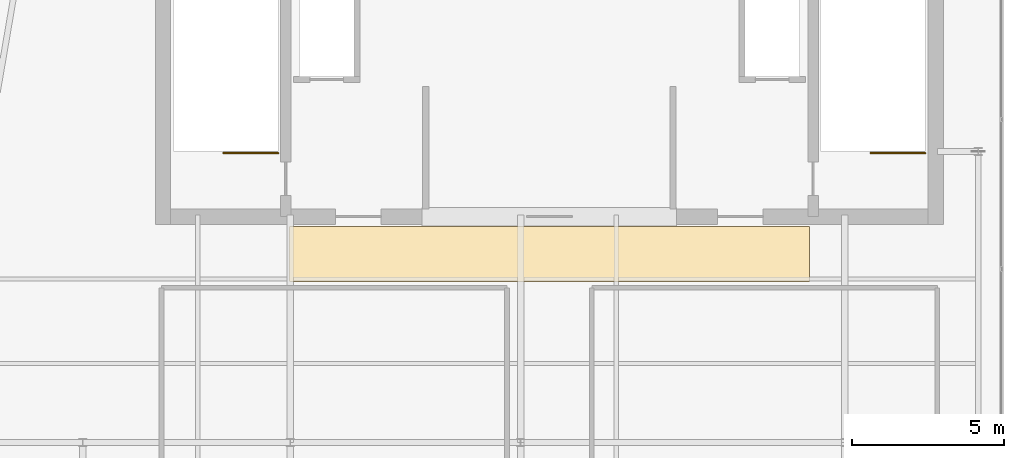
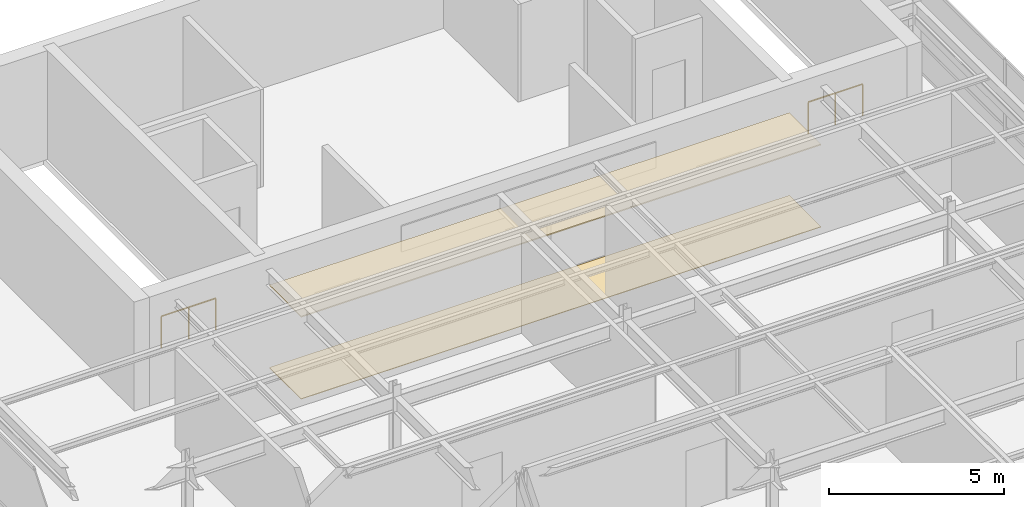
# One storey, part 35 of 35: 2 coverings, 2 railings.
"""IFC4 building model written with IfcOpenShell, lengths in metres."""

from ifc_helpers import new_model, si_unit, direction, frame, origin, origin_2d, place, context, subcontext, project, spatial, polyline, circle, outline, extrude, material, layer, layer_set, type_object, element, save


model = new_model("IFC4")

# Units and contexts
model_context = context("Model", 3, precision=1e-05, world=origin(), true_north=direction((0.0, 1.0)))
body_context = subcontext(model_context, "Body", "Model", "MODEL_VIEW")
ifc_project = project(units=[si_unit("LENGTHUNIT", "METRE"), si_unit("AREAUNIT", "SQUARE_METRE"), si_unit("VOLUMEUNIT", "CUBIC_METRE"), si_unit("PLANEANGLEUNIT", "RADIAN"), si_unit("MASSUNIT", "GRAM", prefix="KILO")], contexts=[model_context])

# Site, building, storey
site_placement = place(None, origin())
site = spatial("IfcSite", under=ifc_project, at=site_placement, CompositionType="ELEMENT")
building_placement = place(site_placement, origin())
building = spatial("IfcBuilding", under=site, at=building_placement, Name="Tolvann Quenvar Hotel", CompositionType="ELEMENT")
storey_placement = place(building_placement, frame((0.0, 0.0, 309.949951171875)))
storey = spatial("IfcBuildingStorey", under=building, at=storey_placement, Name="L82", CompositionType="ELEMENT", Elevation=309.949951171875)

# Coverings
ifc_material_1 = material(Name="Micro-perforated acoustic mineral-fibre and timber-batten suspended ceiling", Category="wood")
ifc_layer_1 = layer(ifc_material_1, 0.0400390625)
ifc_layer_set_1 = layer_set([ifc_layer_1], Name="Micro-perforated acoustic mineral-fibre and timber-batten suspended ceiling")
covering_type_1 = type_object("IfcCoveringType", Name="COV_CEIL_ACOUSTIC_40", PredefinedType="CEILING", material=ifc_layer_set_1)
covering_1_placement = place(storey_placement, frame((0.0, 0.0, 2.860107421875)))
element("IfcCovering", 1, at=covering_1_placement, inside=storey, type_object=covering_type_1, Name="Suspended Acoustic Ceiling (Upper Lantern Core Stair Vestibule L82)", PredefinedType="CEILING", context=body_context, shape_type="SweptSolid", body=[
    extrude(outline(polyline([(14.419921875, 29.719970703125), (31.580078125, 29.719970703125), (31.580078125, 31.530029296875), (14.419921875, 31.530029296875), (14.419921875, 29.719970703125)])), origin(), (0.0, 0.0, 1.0), 0.0400390625),
])
ifc_material_2 = material(Name="Honed Australian bluestone, terrazzo and engineered oak flooring", Category="masonry")
ifc_layer_2 = layer(ifc_material_2, 0.02001953125)
ifc_layer_set_2 = layer_set([ifc_layer_2], Name="Honed Australian bluestone, terrazzo and engineered oak flooring")
covering_type_2 = type_object("IfcCoveringType", Name="COV_FLOOR_STONE_20", PredefinedType="FLOORING", material=ifc_layer_set_2)
covering_2_placement = place(storey_placement, origin())
element("IfcCovering", 2, at=covering_2_placement, inside=storey, type_object=covering_type_2, Name="Architectural Floor Finish (Upper Lantern Core Stair Vestibule L82)", PredefinedType="FLOORING", context=body_context, shape_type="SweptSolid", body=[
    extrude(outline(polyline([(14.419921875, 29.719970703125), (31.580078125, 29.719970703125), (31.580078125, 31.530029296875), (14.419921875, 31.530029296875), (14.419921875, 29.719970703125)])), origin(), (0.0, 0.0, 1.0), 0.02001953125),
])

# Railings
ifc_material_3 = material(Name="Brushed 316 stainless steel balustrade and handrail", Category="steel")
railing_type = type_object("IfcRailingType", Name="GUARDRAIL", PredefinedType="GUARDRAIL", material=ifc_material_3)
railing_1_placement = place(storey_placement, frame((14.050048828125, 33.949951171875, 0.0)))
element("IfcRailing", 3, at=railing_1_placement, inside=storey, type_object=railing_type, Name="L82 ST-C1 top well guard 1", PredefinedType="GUARDRAIL", context=body_context, shape_type="SweptSolid", body=[
    extrude(circle(Radius=0.02392578125, at=origin_2d()), frame((0.0, 0.0, 1.09619140625), z_axis=(-1.0, 0.0, 0.0), x_axis=(0.0, -1.0, 0.0)), (0.0, 0.0, 1.0), 1.800048828125),
    extrude(circle(Radius=0.02099609375, at=origin_2d()), origin(), (0.0, 0.0, 1.0), 1.072021484375),
    extrude(circle(Radius=0.02099609375, at=origin_2d()), frame((-0.89990234375, 0.0, 0.0)), (0.0, 0.0, 1.0), 1.072021484375),
    extrude(circle(Radius=0.02099609375, at=origin_2d()), frame((-1.800048828125, 0.0, 0.0)), (0.0, 0.0, 1.0), 1.072021484375),
])
railing_2_placement = place(storey_placement, frame((35.39990234375, 33.949951171875, 0.0)))
element("IfcRailing", 4, at=railing_2_placement, inside=storey, type_object=railing_type, Name="L82 ST-C2 top well guard 1", PredefinedType="GUARDRAIL", context=body_context, shape_type="SweptSolid", body=[
    extrude(circle(Radius=0.02392578125, at=origin_2d()), frame((0.0, 0.0, 1.09619140625), z_axis=(-1.0, 0.0, 0.0), x_axis=(0.0, -1.0, 0.0)), (0.0, 0.0, 1.0), 1.7998046875),
    extrude(circle(Radius=0.02099609375, at=origin_2d()), origin(), (0.0, 0.0, 1.0), 1.072021484375),
    extrude(circle(Radius=0.02099609375, at=origin_2d()), frame((-0.89990234375, 0.0, 0.0)), (0.0, 0.0, 1.0), 1.072021484375),
    extrude(circle(Radius=0.02099609375, at=origin_2d()), frame((-1.7998046875, 0.0, 0.0)), (0.0, 0.0, 1.0), 1.072021484375),
])

save(model, "model.ifc")
